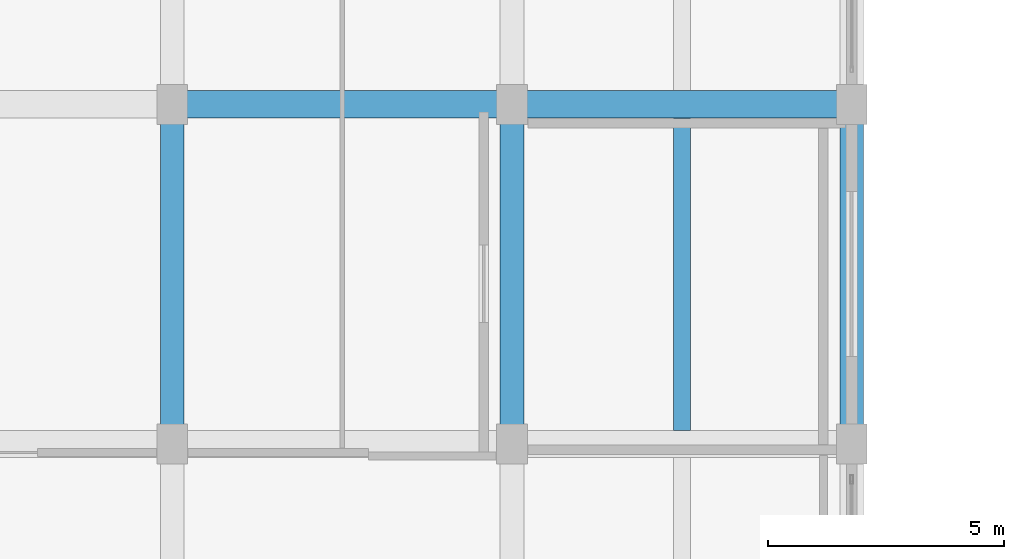
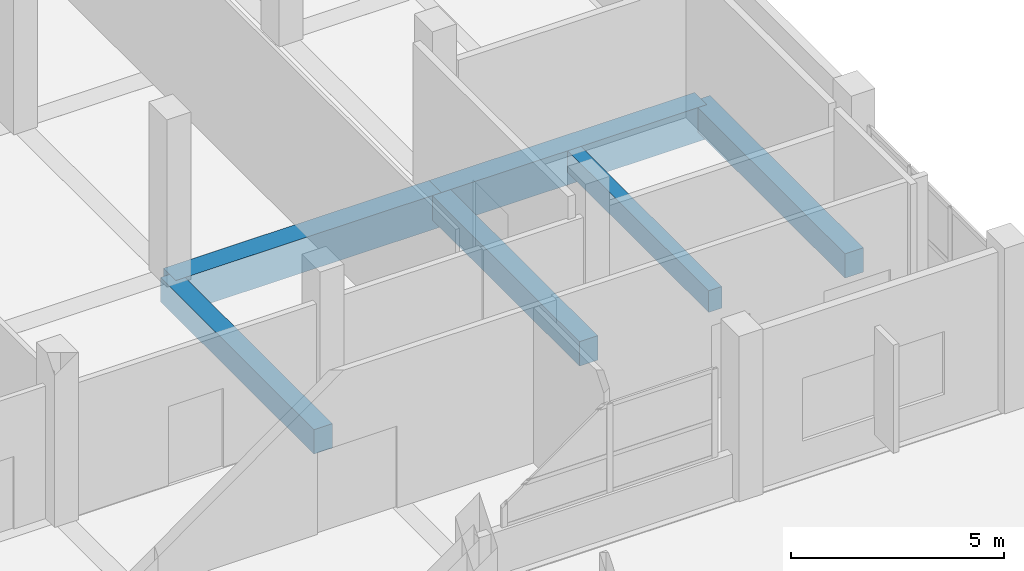
# One storey, part 101 of 140: 6 beams.
"""IFC4 building model written with IfcOpenShell, lengths in metres."""

from ifc_helpers import new_model, si_unit, direction, frame, origin, origin_2d, place, context, subcontext, project, spatial, rectangle, extrude, material, material_profile, profile_set, type_object, element, save


model = new_model("IFC4")

# Units and contexts
model_context = context("Model", 3, precision=1e-05, world=origin(), true_north=direction((0.0, 1.0)))
body_context = subcontext(model_context, "Body", "Model", "MODEL_VIEW")
ifc_project = project(units=[si_unit("LENGTHUNIT", "METRE"), si_unit("AREAUNIT", "SQUARE_METRE"), si_unit("VOLUMEUNIT", "CUBIC_METRE"), si_unit("PLANEANGLEUNIT", "RADIAN"), si_unit("MASSUNIT", "GRAM", prefix="KILO")], contexts=[model_context])

# Site, building, storey
site_placement = place(None, origin())
site = spatial("IfcSite", under=ifc_project, at=site_placement, CompositionType="ELEMENT")
building_placement = place(site_placement, origin())
building = spatial("IfcBuilding", under=site, at=building_placement, Name="Seraya Terrace Polytechnic", CompositionType="ELEMENT")
storey_placement = place(building_placement, frame((0.0, 0.0, 9.60009765625)))
storey = spatial("IfcBuildingStorey", under=building, at=storey_placement, Name="L02", CompositionType="ELEMENT", Elevation=9.60009765625)

# Beams
ifc_material = material(Name="Concrete C40/50", Category="concrete")
ifc_material_profile_1 = material_profile(ifc_material, rectangle(XDim=0.580078125, YDim=0.97998046875, at=origin_2d()), Name="RC 580x980")
ifc_profile_set_1 = profile_set([ifc_material_profile_1], Name="Concrete C40/50")
beam_type_1 = type_object("IfcBeamType", Name="BM-02", PredefinedType="BEAM", material=ifc_profile_set_1)
for number, where, z_axis, x_axis, name in (
    (1, (144.0, 93.60009765625, -0.489990234375), (1.0, 0.0, 0.0), (0.0, 1.0, 0.0), "Beam BM-02 L02 X (144.0..151.2, 93.6)"),
    (2, (151.199951171875, 93.60009765625, -0.489990234375), (1.0, 0.0, 0.0), (0.0, 1.0, 0.0), "Beam BM-02 L02 X (151.2..158.4, 93.6)"),
):
    element("IfcBeam", number, at=place(storey_placement, frame(where, z_axis=z_axis, x_axis=x_axis)), inside=storey, type_object=beam_type_1, Name=name, PredefinedType="BEAM", context=body_context, shape_type="SweptSolid", body=[
        extrude(rectangle(XDim=0.580078125, YDim=0.97998046875, at=origin_2d()), origin(), (0.0, 0.0, 1.0), 7.199951171875),
    ])
ifc_material_profile_2 = material_profile(ifc_material, rectangle(XDim=0.5, YDim=0.699951171875, at=origin_2d()), Name="RC 500x700")
ifc_profile_set_2 = profile_set([ifc_material_profile_2], Name="Concrete C40/50")
beam_type_2 = type_object("IfcBeamType", Name="BM-07", PredefinedType="BEAM", material=ifc_profile_set_2)
for number, where, z_axis, x_axis, name in (
    (3, (144.0, 86.39990234375, -0.35009765625), (0.0, 1.0, 0.0), (-1.0, 0.0, 0.0), "Beam BM-07 L02 Y (144.0, 86.4..93.6)"),
    (4, (151.199951171875, 86.39990234375, -0.35009765625), (0.0, 1.0, 0.0), (-1.0, 0.0, 0.0), "Beam BM-07 L02 Y (151.2, 86.4..93.6)"),
    (5, (158.39990234375, 86.39990234375, -0.35009765625), (0.0, 1.0, 0.0), (-1.0, 0.0, 0.0), "Beam BM-07 L02 Y (158.4, 86.4..93.6)"),
):
    element("IfcBeam", number, at=place(storey_placement, frame(where, z_axis=z_axis, x_axis=x_axis)), inside=storey, type_object=beam_type_2, Name=name, PredefinedType="BEAM", context=body_context, shape_type="SweptSolid", body=[
        extrude(rectangle(XDim=0.5, YDim=0.699951171875, at=origin_2d()), origin(), (0.0, 0.0, 1.0), 7.2001953125),
    ])
ifc_material_profile_3 = material_profile(ifc_material, rectangle(XDim=0.360107421875, YDim=0.6201171875, at=origin_2d()), Name="RC 360x620")
ifc_profile_set_3 = profile_set([ifc_material_profile_3], Name="Concrete C40/50")
beam_type_3 = type_object("IfcBeamType", Name="JS-01", PredefinedType="JOIST", material=ifc_profile_set_3)
beam_placement = place(storey_placement, frame((154.800048828125, 86.68994140625, -0.31005859375), z_axis=(0.0, 1.0, 0.0), x_axis=(-1.0, 0.0, 0.0)))
element("IfcBeam", 6, at=beam_placement, inside=storey, type_object=beam_type_3, Name="Secondary joist JS-01 L02", PredefinedType="JOIST", context=body_context, shape_type="SweptSolid", body=[
    extrude(rectangle(XDim=0.360107421875, YDim=0.6201171875, at=origin_2d()), origin(), (0.0, 0.0, 1.0), 6.6201171875),
])

save(model, "model.ifc")
